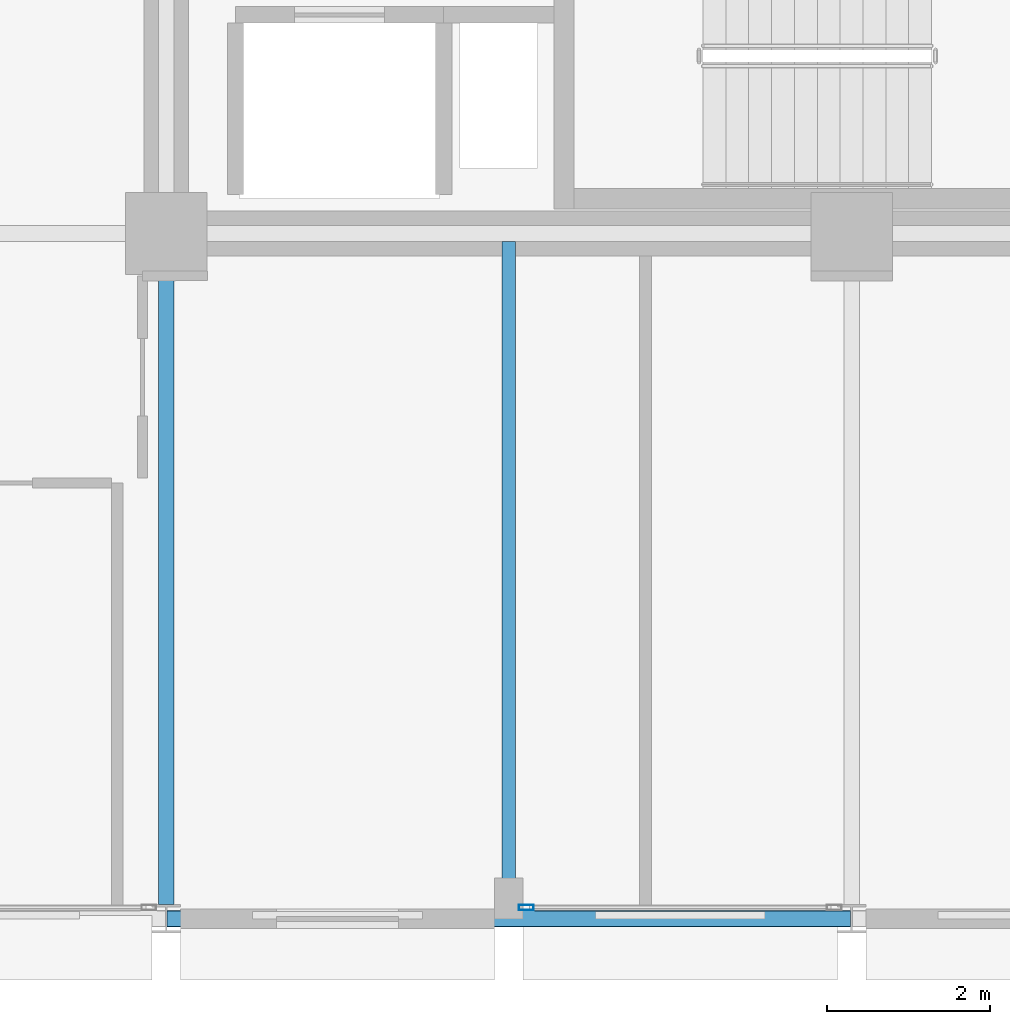
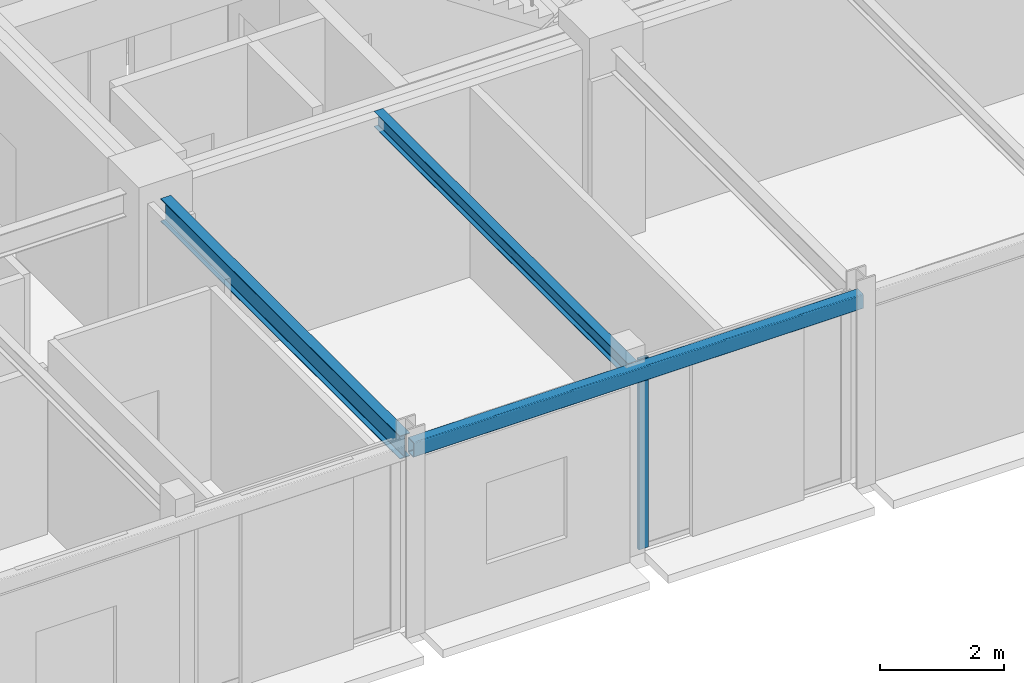
# One storey, part 7 of 30: 3 beams, 1 member, 1 element without a shape of its own.
"""IFC4 building model written with IfcOpenShell, lengths in metres."""

from ifc_helpers import new_model, si_unit, direction, frame, origin, origin_2d, place, context, subcontext, project, spatial, hollow_rectangle, i_section, extrude, material, layer, layer_set, material_profile, profile_set, type_object, element, aggregate, save


model = new_model("IFC4")

# Units and contexts
model_context = context("Model", 3, precision=1e-05, world=origin(), true_north=direction((0.0, 1.0)))
body_context = subcontext(model_context, "Body", "Model", "MODEL_VIEW")
ifc_project = project(units=[si_unit("LENGTHUNIT", "METRE"), si_unit("AREAUNIT", "SQUARE_METRE"), si_unit("VOLUMEUNIT", "CUBIC_METRE"), si_unit("PLANEANGLEUNIT", "RADIAN"), si_unit("MASSUNIT", "GRAM", prefix="KILO")], contexts=[model_context])

# Site, building, storey
site_placement = place(None, origin())
site = spatial("IfcSite", under=ifc_project, at=site_placement, CompositionType="ELEMENT")
building_placement = place(site_placement, origin())
building = spatial("IfcBuilding", under=site, at=building_placement, Name="Nerrivon Quay Data Exchange", CompositionType="ELEMENT")
storey_placement = place(building_placement, frame((0.0, 0.0, 216.5)))
storey = spatial("IfcBuildingStorey", under=building, at=storey_placement, Name="L51", CompositionType="ELEMENT", Elevation=216.5)

# Beams
ifc_material_1 = material(Name="Steel Grade 350", Category="steel")
ifc_material_profile_1 = material_profile(ifc_material_1, i_section(OverallWidth=0.18994140625, OverallDepth=0.4541015625, WebThickness=0.008544921875, FlangeThickness=0.0126953125, FilletRadius=0.011474609375, at=origin_2d()), Name="460UB67.1")
ifc_profile_set_1 = profile_set([ifc_material_profile_1], Name="Steel Grade 350")
beam_type_1 = type_object("IfcBeamType", Name="BM-G6-460UB67", PredefinedType="BEAM", material=ifc_profile_set_1)
beam_1_placement = place(storey_placement, frame((16.800048828125, 0.175048828125, 3.52294921875), z_axis=(0.0, 1.0, 0.0), x_axis=(-1.0, 0.0, 0.0)))
element("IfcBeam", 1, at=beam_1_placement, inside=storey, type_object=beam_type_1, Name="L51 NS Girder X=16.8 (0.0..8.4)", PredefinedType="BEAM", context=body_context, shape_type="SweptSolid", body=[
    extrude(i_section(OverallWidth=0.18994140625, OverallDepth=0.4541015625, WebThickness=0.008544921875, FlangeThickness=0.0126953125, FilletRadius=0.011474609375, at=origin_2d()), origin(), (0.0, 0.0, 1.0), 7.724853515625),
])
ifc_material_profile_2 = material_profile(ifc_material_1, i_section(OverallWidth=0.166015625, OverallDepth=0.306884765625, WebThickness=0.006591796875, FlangeThickness=0.01171875, FilletRadius=0.011474609375, at=origin_2d()), Name="310UB46.2")
ifc_profile_set_2 = profile_set([ifc_material_profile_2], Name="Steel Grade 350")
beam_type_2 = type_object("IfcBeamType", Name="BM-J5-310UB46", PredefinedType="JOIST", material=ifc_profile_set_2)
beam_2_placement = place(storey_placement, frame((21.0, 0.10009765625, 3.596435546875), z_axis=(0.0, 1.0, 0.0), x_axis=(-1.0, 0.0, 0.0)))
element("IfcBeam", 2, at=beam_2_placement, inside=storey, type_object=beam_type_2, Name="L51 Secondary Joist X=21.0 (0.0..8.4)", PredefinedType="JOIST", context=body_context, shape_type="SweptSolid", body=[
    extrude(i_section(OverallWidth=0.166015625, OverallDepth=0.306884765625, WebThickness=0.006591796875, FlangeThickness=0.01171875, FilletRadius=0.011474609375, at=origin_2d()), origin(), (0.0, 0.0, 1.0), 8.204345703125),
])
ifc_material_2 = material(Name="Steel Grade C350L0 (350 MPa)", Category="steel")
ifc_material_profile_3 = material_profile(ifc_material_2, hollow_rectangle(XDim=0.199951171875, YDim=0.300048828125, WallThickness=0.012451171875, InnerFilletRadius=0.018798828125, OuterFilletRadius=0.03125, at=origin_2d()), Name="300x200x12.5RHS")
ifc_profile_set_3 = profile_set([ifc_material_profile_3], Name="Steel Grade C350L0 (350 MPa)")
beam_type_3 = type_object("IfcBeamType", Name="BM-SP3-300x200RHS", PredefinedType="SPANDREL", material=ifc_profile_set_3)
beam_3_placement = place(storey_placement, frame((16.81005859375, 0.0, 3.60009765625), z_axis=(1.0, 0.0, 0.0), x_axis=(0.0, 1.0, 0.0)))
element("IfcBeam", 3, at=beam_3_placement, inside=storey, type_object=beam_type_3, Name="L51 EW Girder Y=0.0 (16.8..25.2)", PredefinedType="SPANDREL", context=body_context, shape_type="SweptSolid", body=[
    extrude(hollow_rectangle(XDim=0.199951171875, YDim=0.300048828125, WallThickness=0.012451171875, InnerFilletRadius=0.018798828125, OuterFilletRadius=0.03125, at=origin_2d()), origin(), (0.0, 0.0, 1.0), 8.3798828125),
])

# Curtain wall, member
ifc_material_3 = material(Name="Anodised aluminium 6063-T6", Category="aluminium")
ifc_layer = layer(ifc_material_3, 0.195068359375)
ifc_layer_set = layer_set([ifc_layer], Name="Anodised aluminium 6063-T6")
curtain_wall_type = type_object("IfcCurtainWallType", Name="CW-SYS-06", PredefinedType="NOTDEFINED", material=ifc_layer_set)
curtain_wall_placement = place(storey_placement, origin())
curtain_wall = element("IfcCurtainWall", 4, at=curtain_wall_placement, inside=storey, type_object=curtain_wall_type, Name="L51 Unitised Curtain Wall 24", PredefinedType="NOTDEFINED")
ifc_material_profile_4 = material_profile(ifc_material_3, hollow_rectangle(XDim=0.06494140625, YDim=0.179931640625, WallThickness=0.00341796875, at=origin_2d()), Name="ALU-MULL-180x65")
ifc_profile_set_4 = profile_set([ifc_material_profile_4], Name="Anodised aluminium 6063-T6")
member_type = type_object("IfcMemberType", Name="CWM-180x65", PredefinedType="MULLION", material=ifc_profile_set_4)
member_placement = place(storey_placement, frame((21.21240234375, 0.139892578125, 0.0), z_axis=(0.0, 0.0, 1.0), x_axis=(0.0, -1.0, 0.0)))
member = element("IfcMember", 5, at=member_placement, type_object=member_type, Name="CW06 mullion 2", PredefinedType="MULLION", context=body_context, shape_type="SweptSolid", body=[
    extrude(hollow_rectangle(XDim=0.06494140625, YDim=0.179931640625, WallThickness=0.00341796875, at=origin_2d()), origin(), (0.0, 0.0, 1.0), 3.75),
])
aggregate(curtain_wall, [member])

save(model, "model.ifc")
